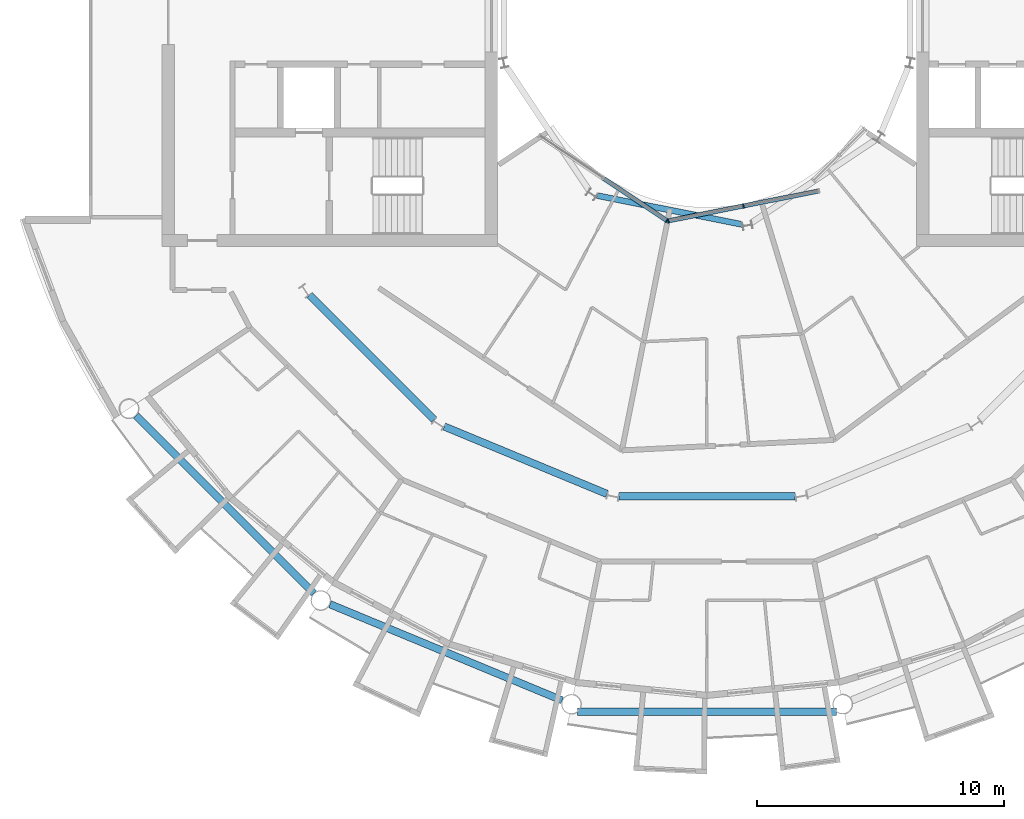
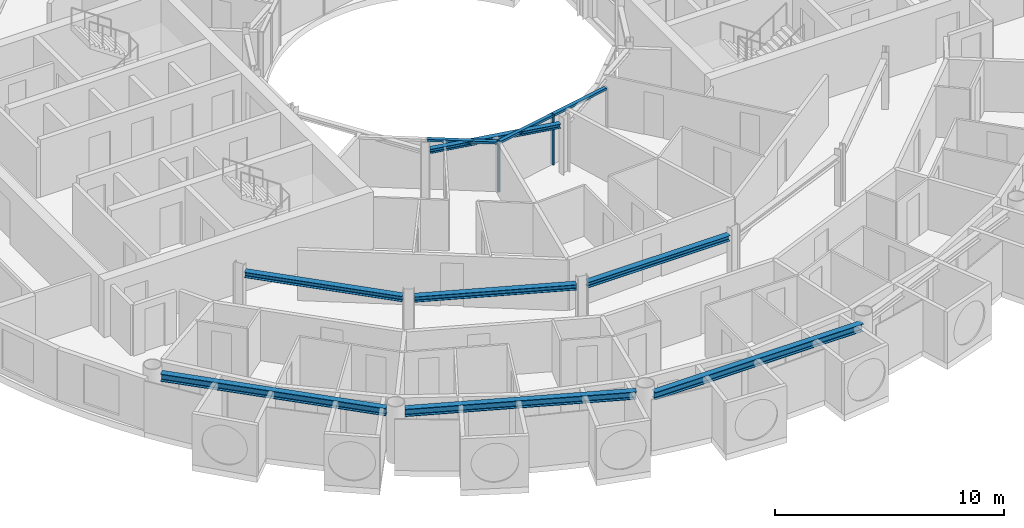
# One storey, part 5 of 27: 7 beams, 6 members, 2 elements without a shape of their own.
"""IFC4 building model written with IfcOpenShell, lengths in metres."""

from ifc_helpers import new_model, si_unit, direction, frame, origin, origin_2d, place, context, subcontext, project, spatial, rectangle, i_section, extrude, material, layer, layer_set, material_profile, profile_set, type_object, element, aggregate, save


model = new_model("IFC4")

# Units and contexts
model_context = context("Model", 3, precision=1e-05, world=origin(), true_north=direction((0.0, 1.0)))
body_context = subcontext(model_context, "Body", "Model", "MODEL_VIEW")
ifc_project = project(units=[si_unit("LENGTHUNIT", "METRE"), si_unit("AREAUNIT", "SQUARE_METRE"), si_unit("VOLUMEUNIT", "CUBIC_METRE"), si_unit("PLANEANGLEUNIT", "RADIAN"), si_unit("MASSUNIT", "GRAM", prefix="KILO")], contexts=[model_context])

# Site, building, storey
site_placement = place(None, origin())
site = spatial("IfcSite", under=ifc_project, at=site_placement, CompositionType="ELEMENT")
building_placement = place(site_placement, origin())
building = spatial("IfcBuilding", under=site, at=building_placement, Name="Maasbend Ring Residences", CompositionType="ELEMENT")
storey_placement = place(building_placement, frame((0.0, 0.0, 170.75)))
storey = spatial("IfcBuildingStorey", under=building, at=storey_placement, Name="L49", CompositionType="ELEMENT", Elevation=170.75)

# Curtain wall, member
ifc_material_1 = material(Name="Aluminium and clear glass", Category="aluminium")
ifc_layer = layer(ifc_material_1, 0.179931640625)
ifc_layer_set = layer_set([ifc_layer], Name="CW-W")
curtain_wall_type = type_object("IfcCurtainWallType", Name="CW-W", PredefinedType="NOTDEFINED", material=ifc_layer_set)
curtain_wall_1_placement = place(storey_placement, origin())
curtain_wall_1 = element("IfcCurtainWall", 1, at=curtain_wall_1_placement, inside=storey, type_object=curtain_wall_type, Name="Well curtain wall S1", PredefinedType="NOTDEFINED")
ifc_material_2 = material(Name="Aluminium 6063-T6", Category="aluminium")
ifc_material_profile_1 = material_profile(ifc_material_2, rectangle(XDim=0.179931640625, YDim=0.06005859375, at=origin_2d()), Name="AL 180x60")
ifc_profile_set_1 = profile_set([ifc_material_profile_1], Name="Aluminium 6063-T6")
member_type_1 = type_object("IfcMemberType", Name="CWM-W", PredefinedType="MULLION", material=ifc_profile_set_1)
member_1_placement = place(storey_placement, frame((-1.627685546875, -8.040771484375, 0.0), z_axis=(0.0, 0.0, 1.0), x_axis=(0.55557023302, 0.831469612303, 0.0)))
member_1 = element("IfcMember", 2, at=member_1_placement, type_object=member_type_1, Name="Mullion well face", PredefinedType="MULLION", context=body_context, shape_type="SweptSolid", body=[
    extrude(rectangle(XDim=0.179931640625, YDim=0.06005859375, at=origin_2d()), origin(), (0.0, 0.0, 1.0), 2.699951171875),
])

# Curtain wall, members
curtain_wall_2_placement = place(storey_placement, origin())
curtain_wall_2 = element("IfcCurtainWall", 3, at=curtain_wall_2_placement, inside=storey, type_object=curtain_wall_type, Name="Well curtain wall S2", PredefinedType="NOTDEFINED")
member_2_placement = place(storey_placement, frame((-1.5732421875, -8.0517578125, 0.0), z_axis=(0.0, 0.0, 1.0), x_axis=(-0.195090322016, 0.980785280403, 0.0)))
member_2 = element("IfcMember", 4, at=member_2_placement, type_object=member_type_1, Name="Mullion well face", PredefinedType="MULLION", context=body_context, shape_type="SweptSolid", body=[
    extrude(rectangle(XDim=0.179931640625, YDim=0.06005859375, at=origin_2d()), origin(), (0.0, 0.0, 1.0), 2.699951171875),
])
member_3_placement = place(storey_placement, frame((1.480712890625, -7.444091796875, 0.0), z_axis=(0.0, 0.0, 1.0), x_axis=(-0.195090322016, 0.980785280403, 0.0)))
member_3 = element("IfcMember", 5, at=member_3_placement, type_object=member_type_1, Name="Mullion well face", PredefinedType="MULLION", context=body_context, shape_type="SweptSolid", body=[
    extrude(rectangle(XDim=0.179931640625, YDim=0.06005859375, at=origin_2d()), origin(), (0.0, 0.0, 1.0), 2.699951171875),
])

# Member
ifc_material_3 = material(Name="Aluminium 6063-T6", Category="aluminium")
ifc_material_profile_2 = material_profile(ifc_material_3, rectangle(XDim=0.179931640625, YDim=0.1201171875, at=origin_2d()), Name="AL 180x120")
ifc_profile_set_2 = profile_set([ifc_material_profile_2], Name="Aluminium 6063-T6")
member_type_2 = type_object("IfcMemberType", Name="CWT-W", PredefinedType="USERDEFINED", material=ifc_profile_set_2)
member_4_placement = place(storey_placement, frame((-4.19189453125, -6.32763671875, 2.639892578125), z_axis=(0.831496422459, -0.555530106689, 0.0), x_axis=(0.555530106689, 0.831496422459, 0.0)))
member_4 = element("IfcMember", 6, at=member_4_placement, type_object=member_type_2, Name="Transom well face", ObjectType="TRANSOM", PredefinedType="USERDEFINED", context=body_context, shape_type="SweptSolid", body=[
    extrude(rectangle(XDim=0.179931640625, YDim=0.1201171875, at=origin_2d()), origin(), (0.0, 0.0, 1.0), 3.053955078125),
])

aggregate(curtain_wall_1, [member_1, member_4])

member_5_placement = place(storey_placement, frame((-1.5439453125, -8.0458984375, 2.639892578125), z_axis=(0.980776956105, 0.195132166424, 0.0), x_axis=(-0.195132166424, 0.980776956105, 0.0)))
member_5 = element("IfcMember", 7, at=member_5_placement, type_object=member_type_2, Name="Transom well face", ObjectType="TRANSOM", PredefinedType="USERDEFINED", context=body_context, shape_type="SweptSolid", body=[
    extrude(rectangle(XDim=0.179931640625, YDim=0.1201171875, at=origin_2d()), origin(), (0.0, 0.0, 1.0), 3.053955078125),
])

member_6_placement = place(storey_placement, frame((1.51025390625, -7.438232421875, 2.639892578125), z_axis=(0.980789210404, 0.19507056353, 0.0), x_axis=(-0.19507056353, 0.980789210404, 0.0)))
member_6 = element("IfcMember", 8, at=member_6_placement, type_object=member_type_2, Name="Transom well face", ObjectType="TRANSOM", PredefinedType="USERDEFINED", context=body_context, shape_type="SweptSolid", body=[
    extrude(rectangle(XDim=0.179931640625, YDim=0.1201171875, at=origin_2d()), origin(), (0.0, 0.0, 1.0), 3.0537109375),
])

aggregate(curtain_wall_2, [member_2, member_3, member_5, member_6])

# Beams
ifc_material_4 = material(Name="Steel S355J2", Category="steel")
ifc_material_profile_3 = material_profile(ifc_material_4, i_section(OverallWidth=0.300048828125, OverallDepth=0.2900390625, WebThickness=0.008544921875, FlangeThickness=0.013916015625, FilletRadius=0.027099609375, at=origin_2d()), Name="HEA 300")
ifc_profile_set_3 = profile_set([ifc_material_profile_3], Name="Steel S355J2")
beam_type_1 = type_object("IfcBeamType", Name="Corridor ring beam HEA 300", PredefinedType="BEAM", material=ifc_profile_set_3)
for number, where, z_axis, x_axis, name in (
    (9, (-16.11669921875, -11.0693359375, 2.554931640625), (0.707106781187, -0.707106781187, 0.0), (0.707106781187, 0.707106781187, 0.0), "Corridor ring beam"),
    (10, (-10.65380859375, -16.394287109375, 2.554931640625), (0.923871339849, -0.382703210602, 0.0), (0.382703210602, 0.923871339849, 0.0), "Corridor ring beam"),
):
    element("IfcBeam", number, at=place(storey_placement, frame(where, z_axis=z_axis, x_axis=x_axis)), inside=storey, type_object=beam_type_1, Name=name, PredefinedType="BEAM", context=body_context, shape_type="SweptSolid", body=[
        extrude(i_section(OverallWidth=0.300048828125, OverallDepth=0.2900390625, WebThickness=0.008544921875, FlangeThickness=0.013916015625, FilletRadius=0.027099609375, at=origin_2d()), origin(), (0.0, 0.0, 1.0), 7.137939453125),
    ])
beam_1_placement = place(storey_placement, frame((-3.56884765625, -19.223388671875, 2.554931640625), z_axis=(1.0, 0.0, 0.0), x_axis=(0.0, 1.0, 0.0)))
element("IfcBeam", 11, at=beam_1_placement, inside=storey, type_object=beam_type_1, Name="Corridor ring beam", PredefinedType="BEAM", context=body_context, shape_type="SweptSolid", body=[
    extrude(i_section(OverallWidth=0.300048828125, OverallDepth=0.2900390625, WebThickness=0.008544921875, FlangeThickness=0.013916015625, FilletRadius=0.027099609375, at=origin_2d()), origin(), (0.0, 0.0, 1.0), 7.1376953125),
])
ifc_material_5 = material(Name="Steel S355J2", Category="steel")
ifc_material_profile_4 = material_profile(ifc_material_5, i_section(OverallWidth=0.300048828125, OverallDepth=0.39990234375, WebThickness=0.013427734375, FlangeThickness=0.02392578125, FilletRadius=0.027099609375, at=origin_2d()), Name="HEB 400")
ifc_profile_set_4 = profile_set([ifc_material_profile_4], Name="Steel S355J2")
beam_type_2 = type_object("IfcBeamType", Name="Spandrel ring beam HEB 400", PredefinedType="SPANDREL", material=ifc_profile_set_4)
for number, where, z_axis, x_axis, name in (
    (12, (-23.159912109375, -15.95458984375, 2.5), (0.707106781187, -0.707106781187, 0.0), (0.707106781187, 0.707106781187, 0.0), "Spandrel ring beam"),
    (13, (-15.29150390625, -23.60302734375, 2.5), (0.923883676188, -0.382673428492, 0.0), (0.382673428492, 0.923883676188, 0.0), "Spandrel ring beam"),
):
    element("IfcBeam", number, at=place(storey_placement, frame(where, z_axis=z_axis, x_axis=x_axis)), inside=storey, type_object=beam_type_2, Name=name, PredefinedType="SPANDREL", context=body_context, shape_type="SweptSolid", body=[
        extrude(i_section(OverallWidth=0.300048828125, OverallDepth=0.39990234375, WebThickness=0.013427734375, FlangeThickness=0.02392578125, FilletRadius=0.027099609375, at=origin_2d()), origin(), (0.0, 0.0, 1.0), 10.18994140625),
    ])
beam_2_placement = place(storey_placement, frame((-5.2451171875, -27.9580078125, 2.5), z_axis=(1.0, 0.0, 0.0), x_axis=(0.0, 1.0, 0.0)))
element("IfcBeam", 14, at=beam_2_placement, inside=storey, type_object=beam_type_2, Name="Spandrel ring beam", PredefinedType="SPANDREL", context=body_context, shape_type="SweptSolid", body=[
    extrude(i_section(OverallWidth=0.300048828125, OverallDepth=0.39990234375, WebThickness=0.013427734375, FlangeThickness=0.02392578125, FilletRadius=0.027099609375, at=origin_2d()), origin(), (0.0, 0.0, 1.0), 10.490234375),
])
ifc_material_6 = material(Name="Steel S355J2", Category="steel")
ifc_material_profile_5 = material_profile(ifc_material_6, i_section(OverallWidth=0.239990234375, OverallDepth=0.22998046875, WebThickness=0.007568359375, FlangeThickness=0.011962890625, FilletRadius=0.02099609375, at=origin_2d()), Name="HEA 240")
ifc_profile_set_5 = profile_set([ifc_material_profile_5], Name="Steel S355J2")
beam_type_3 = type_object("IfcBeamType", Name="Well edge beam HEA 240", PredefinedType="BEAM", material=ifc_profile_set_5)
beam_3_placement = place(storey_placement, frame((-4.459716796875, -7.025390625, 2.5849609375), z_axis=(0.980778695042, -0.195123425945, 0.0), x_axis=(0.195123425945, 0.980778695042, 0.0)))
element("IfcBeam", 15, at=beam_3_placement, inside=storey, type_object=beam_type_3, Name="Well edge beam", PredefinedType="BEAM", context=body_context, shape_type="SweptSolid", body=[
    extrude(i_section(OverallWidth=0.239990234375, OverallDepth=0.22998046875, WebThickness=0.007568359375, FlangeThickness=0.011962890625, FilletRadius=0.02099609375, at=origin_2d()), origin(), (0.0, 0.0, 1.0), 6.007080078125),
])

save(model, "model.ifc")
